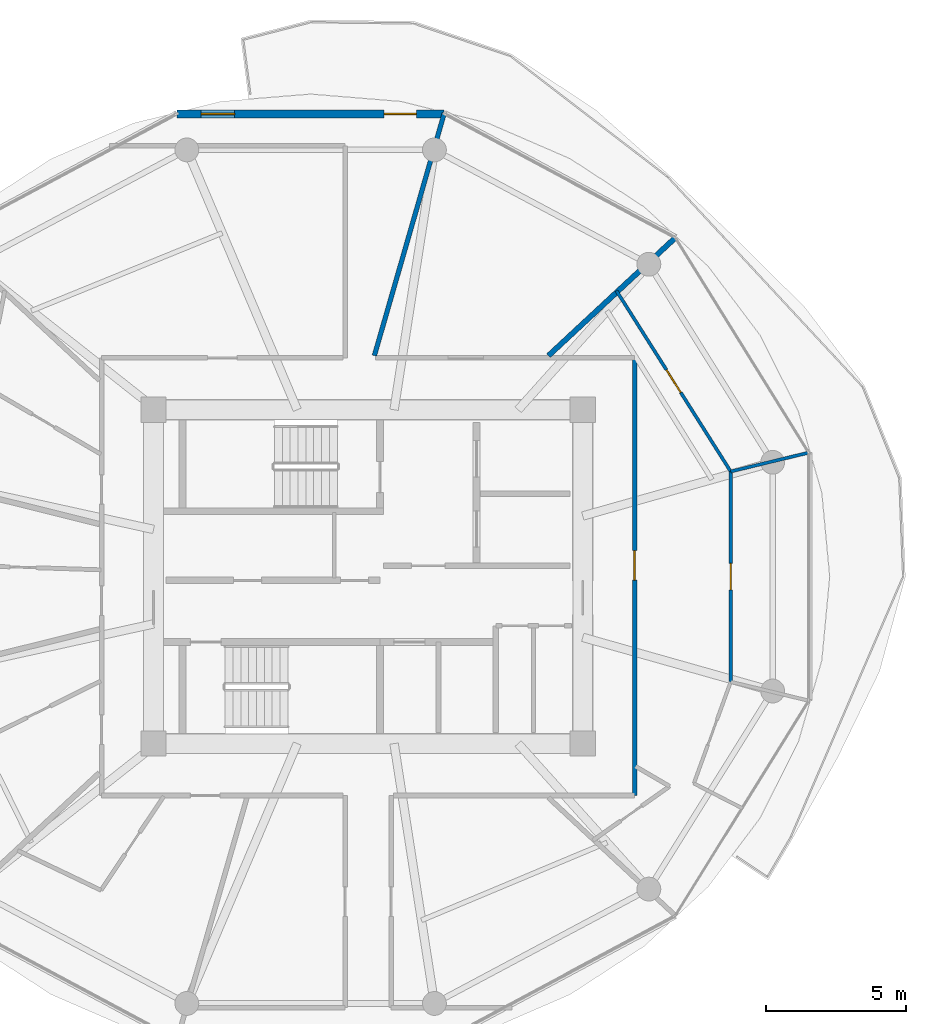
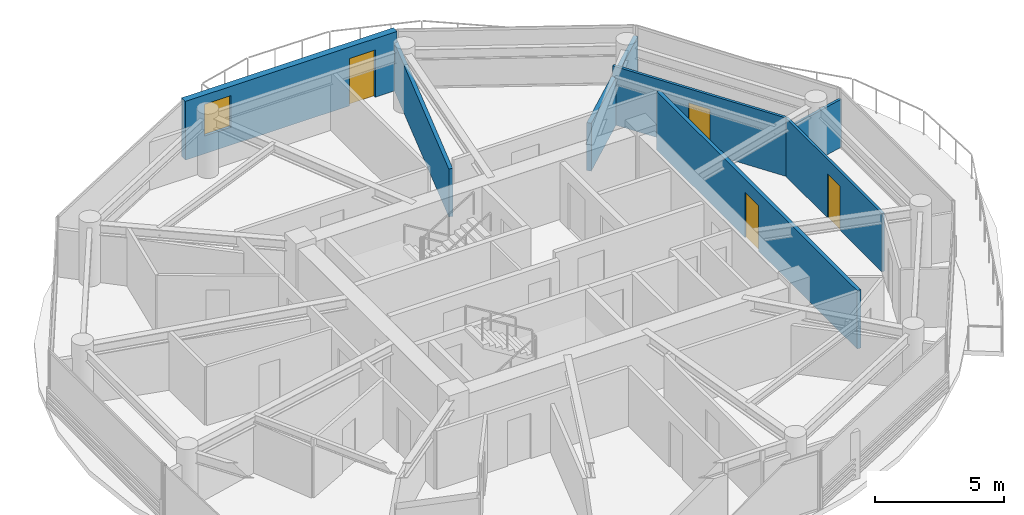
# One storey, part 18 of 24: 7 walls, 4 doors, 1 window, 5 openings.
"""IFC4 building model written with IfcOpenShell, lengths in metres."""

from ifc_helpers import new_model, si_unit, direction, frame, frame_2d, origin, place, context, subcontext, project, spatial, rectangle, extrude, source, transform, mapped, material, layer, layer_set, type_object, type_shapes, element, fill, save


model = new_model("IFC4")

# Units and contexts
model_context = context("Model", 3, precision=1e-05, world=origin(), true_north=direction((0.0, 1.0)))
body_context = subcontext(model_context, "Body", "Model", "MODEL_VIEW")
ifc_project = project(units=[si_unit("LENGTHUNIT", "METRE"), si_unit("AREAUNIT", "SQUARE_METRE"), si_unit("VOLUMEUNIT", "CUBIC_METRE"), si_unit("PLANEANGLEUNIT", "RADIAN"), si_unit("MASSUNIT", "GRAM", prefix="KILO")], contexts=[model_context])

# Site, building, storey
site_placement = place(None, origin())
site = spatial("IfcSite", under=ifc_project, at=site_placement, CompositionType="ELEMENT")
building_placement = place(site_placement, origin())
building = spatial("IfcBuilding", under=site, at=building_placement, Name="Norrkilde Senior Care Towers", CompositionType="ELEMENT")
storey_placement = place(building_placement, frame((0.0, 0.0, 108.449951171875)))
storey = spatial("IfcBuildingStorey", under=building, at=storey_placement, Name="L33", CompositionType="ELEMENT", Elevation=108.449951171875)

# Wall, openings, door, window
ifc_material_1 = material(Name="Precast concrete C45/55", Category="concrete")
ifc_layer_1 = layer(ifc_material_1, 0.2900390625)
ifc_layer_set_1 = layer_set([ifc_layer_1], Name="Precast concrete C45/55")
wall_type_1 = type_object("IfcWallType", Name="Winter Garden Facade Wall 290", PredefinedType="SOLIDWALL", material=ifc_layer_set_1)
shared_shape_1 = source(origin(), body_context, "Body", "SweptSolid", [
    extrude(rectangle(XDim=9.51416015625, YDim=0.2900390625, at=frame_2d((4.757080078125, 0.0))), origin(), (0.0, 0.0, 1.0), 2.7900390625),
])
type_shapes(wall_type_1, [shared_shape_1])
wall_1_placement = place(storey_placement, frame((21.19287109375, 16.498046875, 0.0), z_axis=(0.0, 0.0, 1.0), x_axis=(1.0, 0.0, 0.0)))
wall_1 = element("IfcWall", 1, at=wall_1_placement, inside=storey, type_object=wall_type_1, Name="L33 Drum E Balcony Access Wall 02", PredefinedType="SOLIDWALL", context=body_context, shape_type="MappedRepresentation", body=[
    mapped(shared_shape_1, transform((0.0, 0.0, 0.0), x_axis=(1.0, 0.0, 0.0), y_axis=(0.0, 1.0, 0.0), z_axis=(0.0, 0.0, 1.0), scale=1.0)),
])
opening_1_placement = place(wall_1_placement, frame((7.3798828125, 0.0, 0.0)))
opening_1 = element("IfcOpeningElement", 2, at=opening_1_placement, cuts=wall_1, Name="Opening D-09", PredefinedType="OPENING", context=body_context, shape_type="SweptSolid", body=[
    extrude(rectangle(XDim=1.14990234375, YDim=2.25, at=frame_2d((0.574951171875, 1.125))), frame((0.0, 0.155029296875, 0.0), z_axis=(0.0, -1.0, 0.0), x_axis=(1.0, 0.0, 0.0)), (0.0, 0.0, 1.0), 0.31005859375),
])
opening_2_placement = place(wall_1_placement, frame((0.85009765625, 0.0, 0.85009765625)))
opening_2 = element("IfcOpeningElement", 3, at=opening_2_placement, cuts=wall_1, Name="Opening WN-07", PredefinedType="OPENING", context=body_context, shape_type="SweptSolid", body=[
    extrude(rectangle(XDim=1.199951171875, YDim=1.5, at=frame_2d((0.60009765625, 0.75))), frame((0.0, 0.155029296875, 0.0), z_axis=(0.0, -1.0, 0.0), x_axis=(1.0, 0.0, 0.0)), (0.0, 0.0, 1.0), 0.31005859375),
])
ifc_material_2 = material(Name="Anodised Aluminium", Category="aluminium")
door_type_1 = type_object("IfcDoorType", Name="Terrace and Balcony Glazed Door 1150x2250", OperationType="NOTDEFINED", PredefinedType="DOOR", material=ifc_material_2)
shared_shape_2 = source(origin(), body_context, "Body", "SweptSolid", [
    extrude(rectangle(XDim=1.14990234375, YDim=2.25, at=frame_2d((0.574951171875, 1.125))), frame((0.0, 0.02490234375, 0.0), z_axis=(0.0, -1.0, 0.0), x_axis=(1.0, 0.0, 0.0)), (0.0, 0.0, 1.0), 0.050048828125),
])
type_shapes(door_type_1, [shared_shape_2])
door_1_placement = place(opening_1_placement, origin())
door_1 = element("IfcDoor", 4, at=door_1_placement, inside=storey, type_object=door_type_1, Name="L33 Drum E Outdoor Terrace Door 02", OperationType="SINGLE_SWING_LEFT", OverallHeight=2.25, OverallWidth=1.14990234375, PredefinedType="DOOR", context=body_context, shape_type="MappedRepresentation", body=[
    mapped(shared_shape_2, transform((0.0, 0.0, 0.0), x_axis=(1.0, 0.0, 0.0), y_axis=(0.0, 1.0, 0.0), z_axis=(0.0, 0.0, 1.0), scale=1.0)),
])
fill(opening_1, door_1)
ifc_material_3 = material(Name="Triple Low-E Insulated Glazing", Category="glass")
window_type = type_object("IfcWindowType", Name="Stairwell Smoke Vent Window 1200x1500", PartitioningType="SINGLE_PANEL", PredefinedType="WINDOW", material=ifc_material_3)
shared_shape_3 = source(origin(), body_context, "Body", "SweptSolid", [
    extrude(rectangle(XDim=1.199951171875, YDim=1.5, at=frame_2d((0.60009765625, 0.75))), frame((0.0, 0.030029296875, 0.0), z_axis=(0.0, -1.0, 0.0), x_axis=(1.0, 0.0, 0.0)), (0.0, 0.0, 1.0), 0.06005859375),
])
type_shapes(window_type, [shared_shape_3])
window_placement = place(opening_2_placement, origin())
window = element("IfcWindow", 5, at=window_placement, inside=storey, type_object=window_type, Name="L33 Drum E Winter Garden Window 02", OverallHeight=1.5, OverallWidth=1.199951171875, PartitioningType="SINGLE_PANEL", PredefinedType="WINDOW", context=body_context, shape_type="MappedRepresentation", body=[
    mapped(shared_shape_3, transform((0.0, 0.0, 0.0), x_axis=(1.0, 0.0, 0.0), y_axis=(0.0, 1.0, 0.0), z_axis=(0.0, 0.0, 1.0), scale=1.0)),
])
fill(opening_2, window)

# Wall, opening, door
ifc_material_4 = material(Name="Gypsum Acoustic Board")
ifc_layer_2 = layer(ifc_material_4, 0.1650390625)
ifc_layer_set_2 = layer_set([ifc_layer_2], Name="Gypsum Acoustic Board")
wall_type_2 = type_object("IfcWallType", Name="Corridor Rated Partition 165", PredefinedType="PARTITIONING", material=ifc_layer_set_2)
shared_shape_4 = source(origin(), body_context, "Body", "SweptSolid", [
    extrude(rectangle(XDim=15.60009765625, YDim=0.1650390625, at=frame_2d((7.800048828125, 0.0))), origin(), (0.0, 0.0, 1.0), 2.775146484375),
])
wall_2_placement = place(storey_placement, frame((37.5, 7.800048828125, 0.0), z_axis=(0.0, 0.0, 1.0), x_axis=(0.0, -1.0, 0.0)))
wall_2 = element("IfcWall", 6, at=wall_2_placement, inside=storey, type_object=wall_type_2, Name="WL-INT-L33-E-CRW-E-0", PredefinedType="PARTITIONING", context=body_context, shape_type="MappedRepresentation", body=[
    mapped(shared_shape_4, transform((0.0, 0.0, 0.0), x_axis=(1.0, 0.0, 0.0), y_axis=(0.0, 1.0, 0.0), z_axis=(0.0, 0.0, 1.0), scale=1.0)),
])
opening_3_placement = place(wall_2_placement, frame((6.86962890625, 0.0, 0.0)))
opening_3 = element("IfcOpeningElement", 7, at=opening_3_placement, cuts=wall_2, Name="Opening D-06", PredefinedType="OPENING", context=body_context, shape_type="SweptSolid", body=[
    extrude(rectangle(XDim=1.050048828125, YDim=2.14990234375, at=frame_2d((0.52490234375, 1.074951171875))), frame((0.0, 0.092529296875, 0.0), z_axis=(0.0, -1.0, 0.0), x_axis=(1.0, 0.0, 0.0)), (0.0, 0.0, 1.0), 0.18505859375),
])
ifc_material_5 = material(Name="Nordic Ash Timber", Category="wood")
door_type_2 = type_object("IfcDoorType", Name="Apartment Entrance Fire Door 1050x2150", OperationType="NOTDEFINED", PredefinedType="DOOR", material=ifc_material_5)
shared_shape_5 = source(origin(), body_context, "Body", "SweptSolid", [
    extrude(rectangle(XDim=1.050048828125, YDim=2.14990234375, at=frame_2d((0.52490234375, 1.074951171875))), frame((0.0, 0.02490234375, 0.0), z_axis=(0.0, -1.0, 0.0), x_axis=(1.0, 0.0, 0.0)), (0.0, 0.0, 1.0), 0.050048828125),
])
type_shapes(door_type_2, [shared_shape_5])
door_2_placement = place(opening_3_placement, frame((1.050048828125, 0.0, 0.0), z_axis=(0.0, 0.0, 1.0), x_axis=(-1.0, 0.0, 0.0)))
door_2 = element("IfcDoor", 8, at=door_2_placement, inside=storey, type_object=door_type_2, Name="Apartment 33E Entrance Door", OperationType="SINGLE_SWING_LEFT", OverallHeight=2.14990234375, OverallWidth=1.050048828125, PredefinedType="DOOR", context=body_context, shape_type="MappedRepresentation", body=[
    mapped(shared_shape_5, transform((0.0, 0.0, 0.0), x_axis=(1.0, 0.0, 0.0), y_axis=(0.0, 1.0, 0.0), z_axis=(0.0, 0.0, 1.0), scale=1.0)),
])
fill(opening_3, door_2)

# Wall
ifc_layer_3 = layer(ifc_material_4, 0.18994140625)
ifc_layer_set_3 = layer_set([ifc_layer_3], Name="Gypsum Acoustic Board")
wall_type_3 = type_object("IfcWallType", Name="Unit Demising Acoustic Wall 190", PredefinedType="PARTITIONING", material=ifc_layer_set_3)
shared_shape_6 = source(origin(), body_context, "Body", "SweptSolid", [
    extrude(rectangle(XDim=6.186767578125, YDim=0.18994140625, at=frame_2d((3.09326171875, 0.0))), origin(), (0.0, 0.0, 1.0), 2.275146484375),
])
type_shapes(wall_type_3, [shared_shape_6])
wall_3_placement = place(storey_placement, frame((34.428955078125, 7.8798828125, 0.0), z_axis=(0.0, 0.0, 1.0), x_axis=(0.732501077882, 0.680765870841, 0.0)))
element("IfcWall", 9, at=wall_3_placement, inside=storey, type_object=wall_type_3, Name="WL-INT-L33-E-DEM-01-0", PredefinedType="PARTITIONING", context=body_context, shape_type="MappedRepresentation", body=[
    mapped(shared_shape_6, transform((0.0, 0.0, 0.0), x_axis=(1.0, 0.0, 0.0), y_axis=(0.0, 1.0, 0.0), z_axis=(0.0, 0.0, 1.0), scale=1.0)),
])

# Wall, opening, door
ifc_layer_4 = layer(ifc_material_4, 0.114990234375)
ifc_layer_set_4 = layer_set([ifc_layer_4], Name="Gypsum Acoustic Board")
wall_type_4 = type_object("IfcWallType", Name="Internal Room Partition 115", PredefinedType="PARTITIONING", material=ifc_layer_set_4)
shared_shape_7 = source(origin(), body_context, "Body", "SweptSolid", [
    extrude(rectangle(XDim=7.4990234375, YDim=0.114990234375, at=frame_2d((3.74951171875, 0.0))), origin(), (0.0, 0.0, 1.0), 2.775146484375),
])
wall_4_placement = place(storey_placement, frame((40.9248046875, -3.74951171875, 0.0), z_axis=(0.0, 0.0, 1.0), x_axis=(0.0, 1.0, 0.0)))
wall_4 = element("IfcWall", 10, at=wall_4_placement, inside=storey, type_object=wall_type_4, Name="WL-INT-L33-E-UBC-10-1", PredefinedType="PARTITIONING", context=body_context, shape_type="MappedRepresentation", body=[
    mapped(shared_shape_7, transform((0.0, 0.0, 0.0), x_axis=(1.0, 0.0, 0.0), y_axis=(0.0, 1.0, 0.0), z_axis=(0.0, 0.0, 1.0), scale=1.0)),
])
opening_4_placement = place(wall_4_placement, frame((3.274658203125, 0.0, 0.0)))
opening_4 = element("IfcOpeningElement", 11, at=opening_4_placement, cuts=wall_4, Name="Opening D-07", PredefinedType="OPENING", context=body_context, shape_type="SweptSolid", body=[
    extrude(rectangle(XDim=0.949951171875, YDim=2.10009765625, at=frame_2d((0.47509765625, 1.050048828125))), frame((0.0, 0.0673828125, 0.0), z_axis=(0.0, -1.0, 0.0), x_axis=(1.0, 0.0, 0.0)), (0.0, 0.0, 1.0), 0.135009765625),
])
door_type_3 = type_object("IfcDoorType", Name="Internal Suite Bedroom Door 950x2100", OperationType="NOTDEFINED", PredefinedType="DOOR", material=ifc_material_5)
shared_shape_8 = source(origin(), body_context, "Body", "SweptSolid", [
    extrude(rectangle(XDim=0.949951171875, YDim=2.10009765625, at=frame_2d((0.47509765625, 1.050048828125))), frame((0.0, 0.02490234375, 0.0), z_axis=(0.0, -1.0, 0.0), x_axis=(1.0, 0.0, 0.0)), (0.0, 0.0, 1.0), 0.050048828125),
])
type_shapes(door_type_3, [shared_shape_8])
door_3_placement = place(opening_4_placement, origin())
door_3 = element("IfcDoor", 12, at=door_3_placement, inside=storey, type_object=door_type_3, Name="Apartment 33E Bedroom 1 Door", OperationType="SINGLE_SWING_RIGHT", OverallHeight=2.10009765625, OverallWidth=0.949951171875, PredefinedType="DOOR", context=body_context, shape_type="MappedRepresentation", body=[
    mapped(shared_shape_8, transform((0.0, 0.0, 0.0), x_axis=(1.0, 0.0, 0.0), y_axis=(0.0, 1.0, 0.0), z_axis=(0.0, 0.0, 1.0), scale=1.0)),
])
fill(opening_4, door_3)

shared_shape_9 = source(origin(), body_context, "Body", "SweptSolid", [
    extrude(rectangle(XDim=7.617919921875, YDim=0.114990234375, at=frame_2d((3.80908203125, 0.0))), origin(), (0.0, 0.0, 1.0), 2.775146484375),
])
wall_5_placement = place(storey_placement, frame((40.923095703125, 3.749267578125, 0.0), z_axis=(0.0, 0.0, 1.0), x_axis=(-0.534316104929, 0.845284744931, 0.0)))
wall_5 = element("IfcWall", 13, at=wall_5_placement, inside=storey, type_object=wall_type_4, Name="WL-INT-L33-E-UBC-10-2", PredefinedType="PARTITIONING", context=body_context, shape_type="MappedRepresentation", body=[
    mapped(shared_shape_9, transform((0.0, 0.0, 0.0), x_axis=(1.0, 0.0, 0.0), y_axis=(0.0, 1.0, 0.0), z_axis=(0.0, 0.0, 1.0), scale=1.0)),
])
opening_5_placement = place(wall_5_placement, frame((3.333984375, 0.0, 0.0)))
opening_5 = element("IfcOpeningElement", 14, at=opening_5_placement, cuts=wall_5, Name="Opening D-07", PredefinedType="OPENING", context=body_context, shape_type="SweptSolid", body=[
    extrude(rectangle(XDim=0.949951171875, YDim=2.10009765625, at=frame_2d((0.47509765625, 1.050048828125))), frame((0.0, 0.0673828125, 0.0), z_axis=(0.0, -1.0, 0.0), x_axis=(1.0, 0.0, 0.0)), (0.0, 0.0, 1.0), 0.135009765625),
])
door_4_placement = place(opening_5_placement, frame((0.949951171875, 0.0, 0.0), z_axis=(0.0, 0.0, 1.0), x_axis=(-1.0, 0.0, 0.0)))
door_4 = element("IfcDoor", 15, at=door_4_placement, inside=storey, type_object=door_type_3, Name="Apartment 33E Bedroom 2 Door", OperationType="SINGLE_SWING_LEFT", OverallHeight=2.10009765625, OverallWidth=0.949951171875, PredefinedType="DOOR", context=body_context, shape_type="MappedRepresentation", body=[
    mapped(shared_shape_8, transform((0.0, 0.0, 0.0), x_axis=(1.0, 0.0, 0.0), y_axis=(0.0, 1.0, 0.0), z_axis=(0.0, 0.0, 1.0), scale=1.0)),
])
fill(opening_5, door_4)

# Walls
shared_shape_10 = source(origin(), body_context, "Body", "SweptSolid", [
    extrude(rectangle(XDim=2.880615234375, YDim=0.114990234375, at=frame_2d((1.4404296875, 0.0))), origin(), (0.0, 0.0, 1.0), 2.275146484375),
])
type_shapes(wall_type_4, [shared_shape_7, shared_shape_9, shared_shape_10])
wall_6_placement = place(storey_placement, frame((40.923095703125, 3.749267578125, 0.0), z_axis=(0.0, 0.0, 1.0), x_axis=(0.972031524605, 0.234850410208, 0.0)))
element("IfcWall", 16, at=wall_6_placement, inside=storey, type_object=wall_type_4, Name="WL-INT-L33-E-UBR-10-2", PredefinedType="PARTITIONING", context=body_context, shape_type="MappedRepresentation", body=[
    mapped(shared_shape_10, transform((0.0, 0.0, 0.0), x_axis=(1.0, 0.0, 0.0), y_axis=(0.0, 1.0, 0.0), z_axis=(0.0, 0.0, 1.0), scale=1.0)),
])
shared_shape_11 = source(origin(), body_context, "Body", "SweptSolid", [
    extrude(rectangle(XDim=8.9892578125, YDim=0.1650390625, at=frame_2d((4.49462890625, 0.0))), origin(), (0.0, 0.0, 1.0), 2.275146484375),
])
type_shapes(wall_type_2, [shared_shape_4, shared_shape_11])
wall_7_placement = place(storey_placement, frame((28.221923828125, 7.8798828125, 0.0), z_axis=(0.0, 0.0, 1.0), x_axis=(0.27702323008, 0.960863221274, 0.0)))
element("IfcWall", 17, at=wall_7_placement, inside=storey, type_object=wall_type_2, Name="WL-INT-L33-E-DEM-02-0", PredefinedType="PARTITIONING", context=body_context, shape_type="MappedRepresentation", body=[
    mapped(shared_shape_11, transform((0.0, 0.0, 0.0), x_axis=(1.0, 0.0, 0.0), y_axis=(0.0, 1.0, 0.0), z_axis=(0.0, 0.0, 1.0), scale=1.0)),
])

save(model, "model.ifc")
